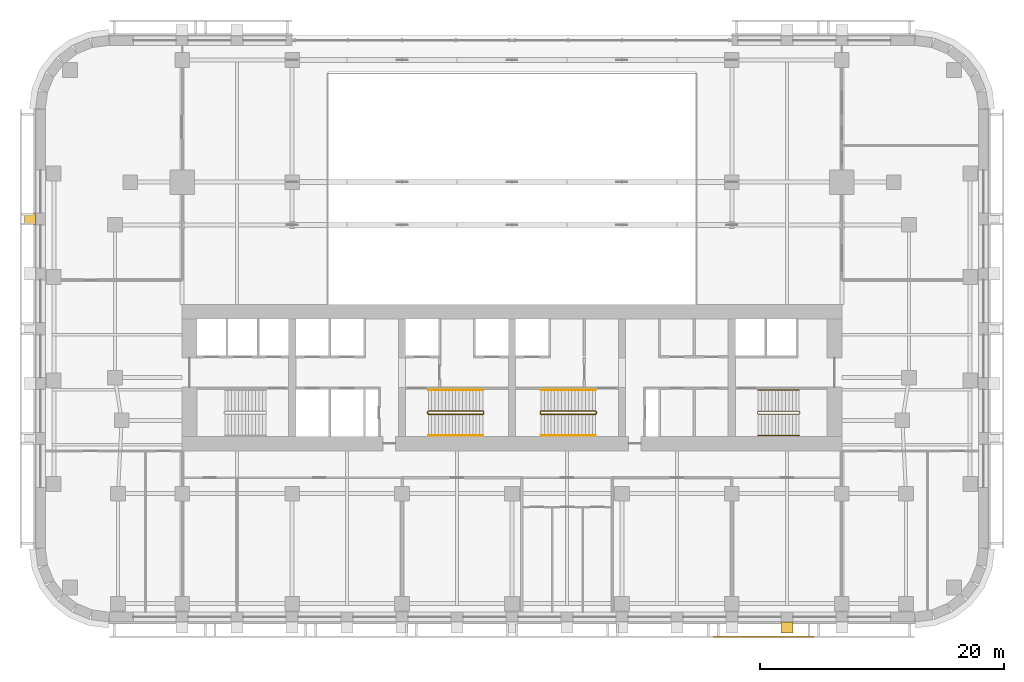
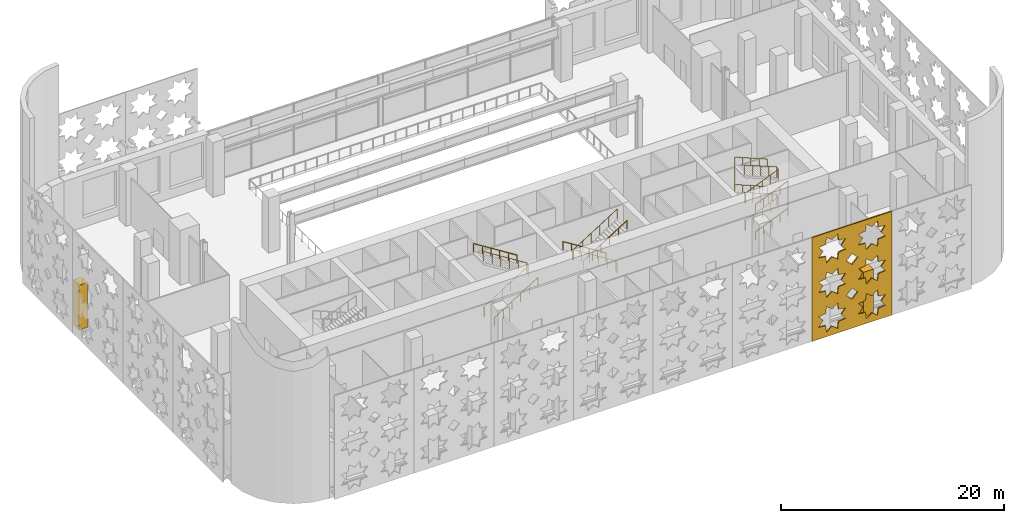
# One storey, part 14 of 17: 9 railings, 3 coverings.
"""IFC4 building model written with IfcOpenShell, lengths in metres."""

from ifc_helpers import new_model, si_unit, direction, frame, origin, origin_2d, place, context, subcontext, project, spatial, polyline, circle, outline, extrude, material, layer, layer_set, type_object, element, save


model = new_model("IFC4")

# Units and contexts
model_context = context("Model", 3, precision=1e-05, world=origin(), true_north=direction((0.0, 1.0)))
body_context = subcontext(model_context, "Body", "Model", "MODEL_VIEW")
ifc_project = project(units=[si_unit("LENGTHUNIT", "METRE"), si_unit("AREAUNIT", "SQUARE_METRE"), si_unit("VOLUMEUNIT", "CUBIC_METRE"), si_unit("PLANEANGLEUNIT", "RADIAN"), si_unit("MASSUNIT", "GRAM", prefix="KILO")], contexts=[model_context])

# Site, building, storey
site_placement = place(None, origin())
site = spatial("IfcSite", under=ifc_project, at=site_placement, CompositionType="ELEMENT")
building_placement = place(site_placement, origin())
building = spatial("IfcBuilding", under=site, at=building_placement, Name="Zellij Exchange Tower", CompositionType="ELEMENT")
storey_placement = place(building_placement, frame((0.0, 0.0, 21.0)))
storey = spatial("IfcBuildingStorey", under=building, at=storey_placement, Name="L03", CompositionType="ELEMENT", Elevation=21.0)

# Railings
ifc_material_1 = material(Name="Stainless steel", Category="steel")
railing_type_1 = type_object("IfcRailingType", Name="CORE-RG stair guard", PredefinedType="GUARDRAIL", material=ifc_material_1)
railing_1_placement = place(storey_placement, frame((-6.89990234375, -10.949951171875, 0.0)))
element("IfcRailing", 1, at=railing_1_placement, inside=storey, type_object=railing_type_1, Name="ST2 stair guard L03", PredefinedType="GUARDRAIL", context=body_context, shape_type="SweptSolid", body=[
    extrude(circle(Radius=0.02392578125, at=origin_2d()), frame((0.0, 0.0, 1.076171875), z_axis=(0.0, 1.0, 0.0), x_axis=(-1.0, 0.0, 0.0)), (0.0, 0.0, 1.0), 0.14990234375),
    extrude(circle(Radius=0.02392578125, at=origin_2d()), frame((0.0, 0.14990234375, 1.076171875), z_axis=(0.183560001127, -0.736939416289, 0.650558239288), x_axis=(0.970351222016, 0.241699205484, 0.0)), (0.0, 0.0, 1.0), 0.271240234375),
    extrude(circle(Radius=0.02392578125, at=origin_2d()), frame((0.0498046875, -0.050048828125, 1.25244140625), z_axis=(0.845997938375, 0.0, 0.533186166611), x_axis=(0.0, 1.0, 0.0)), (0.0, 0.0, 1.0), 5.29541015625),
    extrude(circle(Radius=0.02392578125, at=origin_2d()), frame((4.52978515625, -0.050048828125, 4.076171875), z_axis=(0.707106781187, 0.707106781187, 0.0), x_axis=(-0.707106781187, 0.707106781187, 0.0)), (0.0, 0.0, 1.0), 0.07080078125),
    extrude(circle(Radius=0.02392578125, at=origin_2d()), frame((4.579833984375, 0.0, 4.076171875), z_axis=(0.0, 1.0, 0.0), x_axis=(-1.0, 0.0, 0.0)), (0.0, 0.0, 1.0), 0.14990234375),
    extrude(circle(Radius=0.02392578125, at=origin_2d()), frame((4.579833984375, 0.14990234375, 4.076171875), z_axis=(-0.263171338983, 0.263171338983, 0.928160380902), x_axis=(-0.707106781187, -0.707106781187, 0.0)), (0.0, 0.0, 1.0), 0.190185546875),
    extrude(circle(Radius=0.02392578125, at=origin_2d()), frame((4.52978515625, 0.199951171875, 4.25244140625), z_axis=(-0.845997938375, 0.0, 0.533186166611), x_axis=(0.0, -1.0, 0.0)), (0.0, 0.0, 1.0), 5.29541015625),
    extrude(circle(Radius=0.02099609375, at=origin_2d()), origin(), (0.0, 0.0, 1.0), 1.052001953125),
    extrude(circle(Radius=0.02099609375, at=origin_2d()), frame((0.0, 0.14990234375, 0.0)), (0.0, 0.0, 1.0), 1.052001953125),
    extrude(circle(Radius=0.02099609375, at=origin_2d()), frame((0.0498046875, -0.050048828125, 0.176513671875)), (0.0, 0.0, 1.0), 1.052001953125),
    extrude(circle(Radius=0.02099609375, at=origin_2d()), frame((0.94580078125, -0.050048828125, 0.7412109375)), (0.0, 0.0, 1.0), 1.052001953125),
    extrude(circle(Radius=0.02099609375, at=origin_2d()), frame((1.841796875, -0.050048828125, 1.305908203125)), (0.0, 0.0, 1.0), 1.052001953125),
    extrude(circle(Radius=0.02099609375, at=origin_2d()), frame((2.73779296875, -0.050048828125, 1.87060546875)), (0.0, 0.0, 1.0), 1.052001953125),
    extrude(circle(Radius=0.02099609375, at=origin_2d()), frame((3.6337890625, -0.050048828125, 2.435302734375)), (0.0, 0.0, 1.0), 1.052001953125),
    extrude(circle(Radius=0.02099609375, at=origin_2d()), frame((4.52978515625, -0.050048828125, 3.0)), (0.0, 0.0, 1.0), 1.052001953125),
    extrude(circle(Radius=0.02099609375, at=origin_2d()), frame((4.579833984375, 0.0, 3.0)), (0.0, 0.0, 1.0), 1.052001953125),
    extrude(circle(Radius=0.02099609375, at=origin_2d()), frame((4.579833984375, 0.14990234375, 3.0)), (0.0, 0.0, 1.0), 1.052001953125),
    extrude(circle(Radius=0.02099609375, at=origin_2d()), frame((4.52978515625, 0.199951171875, 3.176513671875)), (0.0, 0.0, 1.0), 1.052001953125),
    extrude(circle(Radius=0.02099609375, at=origin_2d()), frame((3.6337890625, 0.199951171875, 3.7412109375)), (0.0, 0.0, 1.0), 1.052001953125),
    extrude(circle(Radius=0.02099609375, at=origin_2d()), frame((2.73779296875, 0.199951171875, 4.305908203125)), (0.0, 0.0, 1.0), 1.052001953125),
    extrude(circle(Radius=0.02099609375, at=origin_2d()), frame((1.841796875, 0.199951171875, 4.87060546875)), (0.0, 0.0, 1.0), 1.052001953125),
    extrude(circle(Radius=0.02099609375, at=origin_2d()), frame((0.94580078125, 0.199951171875, 5.435302734375)), (0.0, 0.0, 1.0), 1.052001953125),
    extrude(circle(Radius=0.02099609375, at=origin_2d()), frame((0.0498046875, 0.199951171875, 6.0)), (0.0, 0.0, 1.0), 1.052001953125),
])
railing_2_placement = place(storey_placement, frame((6.89990234375, -10.800048828125, 0.0)))
element("IfcRailing", 2, at=railing_2_placement, inside=storey, type_object=railing_type_1, Name="ST3 stair guard L03", PredefinedType="GUARDRAIL", context=body_context, shape_type="SweptSolid", body=[
    extrude(circle(Radius=0.02392578125, at=origin_2d()), frame((0.0, 0.0, 1.076171875), z_axis=(0.0, -1.0, 0.0), x_axis=(1.0, 0.0, 0.0)), (0.0, 0.0, 1.0), 0.14990234375),
    extrude(circle(Radius=0.02392578125, at=origin_2d()), frame((0.0, -0.14990234375, 1.076171875), z_axis=(-0.183560001127, 0.736939416289, 0.650558239288), x_axis=(-0.970351222016, -0.241699205484, 0.0)), (0.0, 0.0, 1.0), 0.271240234375),
    extrude(circle(Radius=0.02392578125, at=origin_2d()), frame((-0.0498046875, 0.050048828125, 1.25244140625), z_axis=(-0.845997938375, 0.0, 0.533186166611), x_axis=(0.0, -1.0, 0.0)), (0.0, 0.0, 1.0), 5.29541015625),
    extrude(circle(Radius=0.02392578125, at=origin_2d()), frame((-4.52978515625, 0.050048828125, 4.076171875), z_axis=(-0.707106781187, -0.707106781187, 0.0), x_axis=(0.707106781187, -0.707106781187, 0.0)), (0.0, 0.0, 1.0), 0.07080078125),
    extrude(circle(Radius=0.02392578125, at=origin_2d()), frame((-4.579833984375, 0.0, 4.076171875), z_axis=(0.0, -1.0, 0.0), x_axis=(1.0, 0.0, 0.0)), (0.0, 0.0, 1.0), 0.14990234375),
    extrude(circle(Radius=0.02392578125, at=origin_2d()), frame((-4.579833984375, -0.14990234375, 4.076171875), z_axis=(0.263171338983, -0.263171338983, 0.928160380902), x_axis=(0.707106781187, 0.707106781187, 0.0)), (0.0, 0.0, 1.0), 0.190185546875),
    extrude(circle(Radius=0.02392578125, at=origin_2d()), frame((-4.52978515625, -0.199951171875, 4.25244140625), z_axis=(0.845997938375, 0.0, 0.533186166611), x_axis=(0.0, 1.0, 0.0)), (0.0, 0.0, 1.0), 5.29541015625),
    extrude(circle(Radius=0.02099609375, at=origin_2d()), origin(), (0.0, 0.0, 1.0), 1.052001953125),
    extrude(circle(Radius=0.02099609375, at=origin_2d()), frame((0.0, -0.14990234375, 0.0)), (0.0, 0.0, 1.0), 1.052001953125),
    extrude(circle(Radius=0.02099609375, at=origin_2d()), frame((-0.0498046875, 0.050048828125, 0.176513671875)), (0.0, 0.0, 1.0), 1.052001953125),
    extrude(circle(Radius=0.02099609375, at=origin_2d()), frame((-0.94580078125, 0.050048828125, 0.7412109375)), (0.0, 0.0, 1.0), 1.052001953125),
    extrude(circle(Radius=0.02099609375, at=origin_2d()), frame((-1.841796875, 0.050048828125, 1.305908203125)), (0.0, 0.0, 1.0), 1.052001953125),
    extrude(circle(Radius=0.02099609375, at=origin_2d()), frame((-2.73779296875, 0.050048828125, 1.87060546875)), (0.0, 0.0, 1.0), 1.052001953125),
    extrude(circle(Radius=0.02099609375, at=origin_2d()), frame((-3.6337890625, 0.050048828125, 2.435302734375)), (0.0, 0.0, 1.0), 1.052001953125),
    extrude(circle(Radius=0.02099609375, at=origin_2d()), frame((-4.52978515625, 0.050048828125, 3.0)), (0.0, 0.0, 1.0), 1.052001953125),
    extrude(circle(Radius=0.02099609375, at=origin_2d()), frame((-4.579833984375, 0.0, 3.0)), (0.0, 0.0, 1.0), 1.052001953125),
    extrude(circle(Radius=0.02099609375, at=origin_2d()), frame((-4.579833984375, -0.14990234375, 3.0)), (0.0, 0.0, 1.0), 1.052001953125),
    extrude(circle(Radius=0.02099609375, at=origin_2d()), frame((-4.52978515625, -0.199951171875, 3.176513671875)), (0.0, 0.0, 1.0), 1.052001953125),
    extrude(circle(Radius=0.02099609375, at=origin_2d()), frame((-3.6337890625, -0.199951171875, 3.7412109375)), (0.0, 0.0, 1.0), 1.052001953125),
    extrude(circle(Radius=0.02099609375, at=origin_2d()), frame((-2.73779296875, -0.199951171875, 4.305908203125)), (0.0, 0.0, 1.0), 1.052001953125),
    extrude(circle(Radius=0.02099609375, at=origin_2d()), frame((-1.841796875, -0.199951171875, 4.87060546875)), (0.0, 0.0, 1.0), 1.052001953125),
    extrude(circle(Radius=0.02099609375, at=origin_2d()), frame((-0.94580078125, -0.199951171875, 5.435302734375)), (0.0, 0.0, 1.0), 1.052001953125),
    extrude(circle(Radius=0.02099609375, at=origin_2d()), frame((-0.0498046875, -0.199951171875, 6.0)), (0.0, 0.0, 1.0), 1.052001953125),
])
railing_3_placement = place(storey_placement, frame((20.10009765625, -10.949951171875, 0.0)))
element("IfcRailing", 3, at=railing_3_placement, inside=storey, type_object=railing_type_1, Name="ST4 stair guard L03", PredefinedType="GUARDRAIL", context=body_context, shape_type="SweptSolid", body=[
    extrude(circle(Radius=0.02392578125, at=origin_2d()), frame((0.0, 0.0, 1.076171875), z_axis=(0.0, 1.0, 0.0), x_axis=(-1.0, 0.0, 0.0)), (0.0, 0.0, 1.0), 0.14990234375),
    extrude(circle(Radius=0.02392578125, at=origin_2d()), frame((0.0, 0.14990234375, 1.076171875), z_axis=(0.210847110147, -0.846489133385, 0.488875897547), x_axis=(0.970351222016, 0.241699205484, 0.0)), (0.0, 0.0, 1.0), 0.236328125),
    extrude(circle(Radius=0.02392578125, at=origin_2d()), frame((0.0498046875, -0.050048828125, 1.19140625), z_axis=(0.924586246868, 0.0, 0.380972797064), x_axis=(0.0, 1.0, 0.0)), (0.0, 0.0, 1.0), 3.63427734375),
    extrude(circle(Radius=0.02392578125, at=origin_2d()), frame((3.409912109375, -0.050048828125, 2.576171875), z_axis=(0.707106781187, 0.707106781187, 0.0), x_axis=(-0.707106781187, 0.707106781187, 0.0)), (0.0, 0.0, 1.0), 0.07080078125),
    extrude(circle(Radius=0.02392578125, at=origin_2d()), frame((3.4599609375, 0.0, 2.576171875), z_axis=(0.0, 1.0, 0.0), x_axis=(-1.0, 0.0, 0.0)), (0.0, 0.0, 1.0), 0.14990234375),
    extrude(circle(Radius=0.02392578125, at=origin_2d()), frame((3.4599609375, 0.14990234375, 2.576171875), z_axis=(-0.3695169537, 0.3695169537, 0.852592776099), x_axis=(-0.707106781187, -0.707106781187, 0.0)), (0.0, 0.0, 1.0), 0.135498046875),
    extrude(circle(Radius=0.02392578125, at=origin_2d()), frame((3.409912109375, 0.199951171875, 2.69140625), z_axis=(-0.924586246868, 0.0, 0.380972797064), x_axis=(0.0, -1.0, 0.0)), (0.0, 0.0, 1.0), 3.63427734375),
    extrude(circle(Radius=0.02392578125, at=origin_2d()), frame((0.0498046875, 0.199951171875, 4.076171875), z_axis=(-0.241699205484, -0.970351222016, 0.0), x_axis=(0.970351222016, -0.241699205484, 0.0)), (0.0, 0.0, 1.0), 0.2060546875),
    extrude(circle(Radius=0.02392578125, at=origin_2d()), frame((0.0, 0.0, 4.076171875), z_axis=(0.0, 1.0, 0.0), x_axis=(-1.0, 0.0, 0.0)), (0.0, 0.0, 1.0), 0.14990234375),
    extrude(circle(Radius=0.02392578125, at=origin_2d()), frame((0.0, 0.14990234375, 4.076171875), z_axis=(0.210847110147, -0.846489133385, 0.488875897547), x_axis=(0.970351222016, 0.241699205484, 0.0)), (0.0, 0.0, 1.0), 0.236328125),
    extrude(circle(Radius=0.02392578125, at=origin_2d()), frame((0.0498046875, -0.050048828125, 4.19140625), z_axis=(0.924586246868, 0.0, 0.380972797064), x_axis=(0.0, 1.0, 0.0)), (0.0, 0.0, 1.0), 3.63427734375),
    extrude(circle(Radius=0.02392578125, at=origin_2d()), frame((3.409912109375, -0.050048828125, 5.576171875), z_axis=(0.707106781187, 0.707106781187, 0.0), x_axis=(-0.707106781187, 0.707106781187, 0.0)), (0.0, 0.0, 1.0), 0.07080078125),
    extrude(circle(Radius=0.02392578125, at=origin_2d()), frame((3.4599609375, 0.0, 5.576171875), z_axis=(0.0, 1.0, 0.0), x_axis=(-1.0, 0.0, 0.0)), (0.0, 0.0, 1.0), 0.14990234375),
    extrude(circle(Radius=0.02392578125, at=origin_2d()), frame((3.4599609375, 0.14990234375, 5.576171875), z_axis=(-0.3695169537, 0.3695169537, 0.852592776099), x_axis=(-0.707106781187, -0.707106781187, 0.0)), (0.0, 0.0, 1.0), 0.135498046875),
    extrude(circle(Radius=0.02392578125, at=origin_2d()), frame((3.409912109375, 0.199951171875, 5.69140625), z_axis=(-0.924586246868, 0.0, 0.380972797064), x_axis=(0.0, -1.0, 0.0)), (0.0, 0.0, 1.0), 3.63427734375),
    extrude(circle(Radius=0.02099609375, at=origin_2d()), origin(), (0.0, 0.0, 1.0), 1.052001953125),
    extrude(circle(Radius=0.02099609375, at=origin_2d()), frame((0.0, 0.14990234375, 0.0)), (0.0, 0.0, 1.0), 1.052001953125),
    extrude(circle(Radius=0.02099609375, at=origin_2d()), frame((0.0498046875, -0.050048828125, 0.115478515625)), (0.0, 0.0, 1.0), 1.052001953125),
    extrude(circle(Radius=0.02099609375, at=origin_2d()), frame((0.889892578125, -0.050048828125, 0.461669921875)), (0.0, 0.0, 1.0), 1.052001953125),
    extrude(circle(Radius=0.02099609375, at=origin_2d()), frame((1.72998046875, -0.050048828125, 0.8076171875)), (0.0, 0.0, 1.0), 1.052001953125),
    extrude(circle(Radius=0.02099609375, at=origin_2d()), frame((2.56982421875, -0.050048828125, 1.15380859375)), (0.0, 0.0, 1.0), 1.052001953125),
    extrude(circle(Radius=0.02099609375, at=origin_2d()), frame((3.409912109375, -0.050048828125, 1.5)), (0.0, 0.0, 1.0), 1.052001953125),
    extrude(circle(Radius=0.02099609375, at=origin_2d()), frame((3.4599609375, 0.0, 1.5)), (0.0, 0.0, 1.0), 1.052001953125),
    extrude(circle(Radius=0.02099609375, at=origin_2d()), frame((3.4599609375, 0.14990234375, 1.5)), (0.0, 0.0, 1.0), 1.052001953125),
    extrude(circle(Radius=0.02099609375, at=origin_2d()), frame((3.409912109375, 0.199951171875, 1.615478515625)), (0.0, 0.0, 1.0), 1.052001953125),
    extrude(circle(Radius=0.02099609375, at=origin_2d()), frame((2.56982421875, 0.199951171875, 1.961669921875)), (0.0, 0.0, 1.0), 1.052001953125),
    extrude(circle(Radius=0.02099609375, at=origin_2d()), frame((1.72998046875, 0.199951171875, 2.3076171875)), (0.0, 0.0, 1.0), 1.052001953125),
    extrude(circle(Radius=0.02099609375, at=origin_2d()), frame((0.889892578125, 0.199951171875, 2.65380859375)), (0.0, 0.0, 1.0), 1.052001953125),
    extrude(circle(Radius=0.02099609375, at=origin_2d()), frame((0.0498046875, 0.199951171875, 3.0)), (0.0, 0.0, 1.0), 1.052001953125),
    extrude(circle(Radius=0.02099609375, at=origin_2d()), frame((0.0, 0.0, 3.0)), (0.0, 0.0, 1.0), 1.052001953125),
    extrude(circle(Radius=0.02099609375, at=origin_2d()), frame((0.0, 0.14990234375, 3.0)), (0.0, 0.0, 1.0), 1.052001953125),
    extrude(circle(Radius=0.02099609375, at=origin_2d()), frame((0.0498046875, -0.050048828125, 3.115478515625)), (0.0, 0.0, 1.0), 1.052001953125),
    extrude(circle(Radius=0.02099609375, at=origin_2d()), frame((0.889892578125, -0.050048828125, 3.461669921875)), (0.0, 0.0, 1.0), 1.052001953125),
    extrude(circle(Radius=0.02099609375, at=origin_2d()), frame((1.72998046875, -0.050048828125, 3.8076171875)), (0.0, 0.0, 1.0), 1.052001953125),
    extrude(circle(Radius=0.02099609375, at=origin_2d()), frame((2.56982421875, -0.050048828125, 4.15380859375)), (0.0, 0.0, 1.0), 1.052001953125),
    extrude(circle(Radius=0.02099609375, at=origin_2d()), frame((3.409912109375, -0.050048828125, 4.5)), (0.0, 0.0, 1.0), 1.052001953125),
    extrude(circle(Radius=0.02099609375, at=origin_2d()), frame((3.4599609375, 0.0, 4.5)), (0.0, 0.0, 1.0), 1.052001953125),
    extrude(circle(Radius=0.02099609375, at=origin_2d()), frame((3.4599609375, 0.14990234375, 4.5)), (0.0, 0.0, 1.0), 1.052001953125),
    extrude(circle(Radius=0.02099609375, at=origin_2d()), frame((3.409912109375, 0.199951171875, 4.615478515625)), (0.0, 0.0, 1.0), 1.052001953125),
    extrude(circle(Radius=0.02099609375, at=origin_2d()), frame((2.56982421875, 0.199951171875, 4.961669921875)), (0.0, 0.0, 1.0), 1.052001953125),
    extrude(circle(Radius=0.02099609375, at=origin_2d()), frame((1.72998046875, 0.199951171875, 5.3076171875)), (0.0, 0.0, 1.0), 1.052001953125),
    extrude(circle(Radius=0.02099609375, at=origin_2d()), frame((0.889892578125, 0.199951171875, 5.65380859375)), (0.0, 0.0, 1.0), 1.052001953125),
    extrude(circle(Radius=0.02099609375, at=origin_2d()), frame((0.0498046875, 0.199951171875, 6.0)), (0.0, 0.0, 1.0), 1.052001953125),
])
railing_type_2 = type_object("IfcRailingType", Name="CORE-RH stair handrail", PredefinedType="HANDRAIL", material=ifc_material_1)
railing_4_placement = place(storey_placement, frame((-6.85009765625, -12.75, 0.176513671875)))
element("IfcRailing", 4, at=railing_4_placement, inside=storey, type_object=railing_type_2, Name="ST2 stair handrail L03", PredefinedType="HANDRAIL", context=body_context, shape_type="SweptSolid", body=[
    extrude(circle(Radius=0.02392578125, at=origin_2d()), frame((0.0, 0.0, 0.8759765625), z_axis=(0.845997938375, 0.0, 0.533186166611), x_axis=(0.0, 1.0, 0.0)), (0.0, 0.0, 1.0), 5.29541015625),
    extrude(circle(Radius=0.02099609375, at=origin_2d()), origin(), (0.0, 0.0, 1.0), 0.851806640625),
    extrude(circle(Radius=0.02099609375, at=origin_2d()), frame((0.89599609375, 0.0, 0.564697265625)), (0.0, 0.0, 1.0), 0.851806640625),
    extrude(circle(Radius=0.02099609375, at=origin_2d()), frame((1.7919921875, 0.0, 1.12939453125)), (0.0, 0.0, 1.0), 0.851806640625),
    extrude(circle(Radius=0.02099609375, at=origin_2d()), frame((2.68798828125, 0.0, 1.694091796875)), (0.0, 0.0, 1.0), 0.851806640625),
    extrude(circle(Radius=0.02099609375, at=origin_2d()), frame((3.583984375, 0.0, 2.2587890625)), (0.0, 0.0, 1.0), 0.851806640625),
    extrude(circle(Radius=0.02099609375, at=origin_2d()), frame((4.47998046875, 0.0, 2.823486328125)), (0.0, 0.0, 1.0), 0.851806640625),
])
for number, where, name in (
    (5, (-2.3701171875, -9.0, 3.176513671875), "ST2 stair handrail L03"),
    (6, (6.85009765625, -9.0, 0.176513671875), "ST3 stair handrail L03"),
):
    element("IfcRailing", number, at=place(storey_placement, frame(where)), inside=storey, type_object=railing_type_2, Name=name, PredefinedType="HANDRAIL", context=body_context, shape_type="SweptSolid", body=[
        extrude(circle(Radius=0.02392578125, at=origin_2d()), frame((0.0, 0.0, 0.8759765625), z_axis=(-0.845997938375, 0.0, 0.533186166611), x_axis=(0.0, -1.0, 0.0)), (0.0, 0.0, 1.0), 5.29541015625),
        extrude(circle(Radius=0.02099609375, at=origin_2d()), origin(), (0.0, 0.0, 1.0), 0.851806640625),
        extrude(circle(Radius=0.02099609375, at=origin_2d()), frame((-0.89599609375, 0.0, 0.564697265625)), (0.0, 0.0, 1.0), 0.851806640625),
        extrude(circle(Radius=0.02099609375, at=origin_2d()), frame((-1.7919921875, 0.0, 1.12939453125)), (0.0, 0.0, 1.0), 0.851806640625),
        extrude(circle(Radius=0.02099609375, at=origin_2d()), frame((-2.68798828125, 0.0, 1.694091796875)), (0.0, 0.0, 1.0), 0.851806640625),
        extrude(circle(Radius=0.02099609375, at=origin_2d()), frame((-3.583984375, 0.0, 2.2587890625)), (0.0, 0.0, 1.0), 0.851806640625),
        extrude(circle(Radius=0.02099609375, at=origin_2d()), frame((-4.47998046875, 0.0, 2.823486328125)), (0.0, 0.0, 1.0), 0.851806640625),
    ])
railing_5_placement = place(storey_placement, frame((2.3701171875, -12.75, 3.176513671875)))
element("IfcRailing", 7, at=railing_5_placement, inside=storey, type_object=railing_type_2, Name="ST3 stair handrail L03", PredefinedType="HANDRAIL", context=body_context, shape_type="SweptSolid", body=[
    extrude(circle(Radius=0.02392578125, at=origin_2d()), frame((0.0, 0.0, 0.8759765625), z_axis=(0.845997938375, 0.0, 0.533186166611), x_axis=(0.0, 1.0, 0.0)), (0.0, 0.0, 1.0), 5.29541015625),
    extrude(circle(Radius=0.02099609375, at=origin_2d()), origin(), (0.0, 0.0, 1.0), 0.851806640625),
    extrude(circle(Radius=0.02099609375, at=origin_2d()), frame((0.89599609375, 0.0, 0.564697265625)), (0.0, 0.0, 1.0), 0.851806640625),
    extrude(circle(Radius=0.02099609375, at=origin_2d()), frame((1.7919921875, 0.0, 1.12939453125)), (0.0, 0.0, 1.0), 0.851806640625),
    extrude(circle(Radius=0.02099609375, at=origin_2d()), frame((2.68798828125, 0.0, 1.694091796875)), (0.0, 0.0, 1.0), 0.851806640625),
    extrude(circle(Radius=0.02099609375, at=origin_2d()), frame((3.583984375, 0.0, 2.2587890625)), (0.0, 0.0, 1.0), 0.851806640625),
    extrude(circle(Radius=0.02099609375, at=origin_2d()), frame((4.47998046875, 0.0, 2.823486328125)), (0.0, 0.0, 1.0), 0.851806640625),
])
railing_6_placement = place(storey_placement, frame((20.14990234375, -12.75, 0.115478515625)))
element("IfcRailing", 8, at=railing_6_placement, inside=storey, type_object=railing_type_2, Name="ST4 stair handrail L03", PredefinedType="HANDRAIL", context=body_context, shape_type="SweptSolid", body=[
    extrude(circle(Radius=0.02392578125, at=origin_2d()), frame((0.0, 0.0, 0.8759765625), z_axis=(0.924586246868, 0.0, 0.380972797064), x_axis=(0.0, 1.0, 0.0)), (0.0, 0.0, 1.0), 3.63427734375),
    extrude(circle(Radius=0.02392578125, at=origin_2d()), frame((3.360107421875, 0.0, 2.26025390625), z_axis=(0.0, 0.0, 1.0), x_axis=(1.0, 0.0, 0.0)), (0.0, 0.0, 1.0), 3.0),
    extrude(circle(Radius=0.02392578125, at=origin_2d()), frame((3.360107421875, 0.0, 5.26025390625), z_axis=(-0.924586246868, 0.0, -0.380972797064), x_axis=(0.0, -1.0, 0.0)), (0.0, 0.0, 1.0), 3.63427734375),
    extrude(circle(Radius=0.02099609375, at=origin_2d()), origin(), (0.0, 0.0, 1.0), 0.851806640625),
    extrude(circle(Radius=0.02099609375, at=origin_2d()), frame((0.840087890625, 0.0, 0.34619140625)), (0.0, 0.0, 1.0), 0.851806640625),
    extrude(circle(Radius=0.02099609375, at=origin_2d()), frame((1.68017578125, 0.0, 0.6923828125)), (0.0, 0.0, 1.0), 0.851806640625),
    extrude(circle(Radius=0.02099609375, at=origin_2d()), frame((2.52001953125, 0.0, 1.038330078125)), (0.0, 0.0, 1.0), 0.851806640625),
    extrude(circle(Radius=0.02099609375, at=origin_2d()), frame((3.360107421875, 0.0, 1.384521484375)), (0.0, 0.0, 1.0), 0.851806640625),
    extrude(circle(Radius=0.02099609375, at=origin_2d()), frame((3.360107421875, 0.0, 2.384521484375)), (0.0, 0.0, 1.0), 0.851806640625),
    extrude(circle(Radius=0.02099609375, at=origin_2d()), frame((3.360107421875, 0.0, 3.384521484375)), (0.0, 0.0, 1.0), 0.851806640625),
    extrude(circle(Radius=0.02099609375, at=origin_2d()), frame((3.360107421875, 0.0, 4.384521484375)), (0.0, 0.0, 1.0), 0.851806640625),
    extrude(circle(Radius=0.02099609375, at=origin_2d()), frame((2.52001953125, 0.0, 4.038330078125)), (0.0, 0.0, 1.0), 0.851806640625),
    extrude(circle(Radius=0.02099609375, at=origin_2d()), frame((1.68017578125, 0.0, 3.6923828125)), (0.0, 0.0, 1.0), 0.851806640625),
    extrude(circle(Radius=0.02099609375, at=origin_2d()), frame((0.840087890625, 0.0, 3.34619140625)), (0.0, 0.0, 1.0), 0.851806640625),
    extrude(circle(Radius=0.02099609375, at=origin_2d()), frame((0.0, 0.0, 3.0)), (0.0, 0.0, 1.0), 0.851806640625),
])
railing_7_placement = place(storey_placement, frame((23.510009765625, -9.0, 1.615478515625)))
element("IfcRailing", 9, at=railing_7_placement, inside=storey, type_object=railing_type_2, Name="ST4 stair handrail L03", PredefinedType="HANDRAIL", context=body_context, shape_type="SweptSolid", body=[
    extrude(circle(Radius=0.02392578125, at=origin_2d()), frame((0.0, 0.0, 0.8759765625), z_axis=(-0.924586246868, 0.0, 0.380972797064), x_axis=(0.0, -1.0, 0.0)), (0.0, 0.0, 1.0), 3.63427734375),
    extrude(circle(Radius=0.02392578125, at=origin_2d()), frame((-3.360107421875, 0.0, 2.26025390625), z_axis=(0.0, 0.0, 1.0), x_axis=(1.0, 0.0, 0.0)), (0.0, 0.0, 1.0), 3.0),
    extrude(circle(Radius=0.02392578125, at=origin_2d()), frame((-3.360107421875, 0.0, 5.26025390625), z_axis=(0.924586246868, 0.0, -0.380972797064), x_axis=(0.0, 1.0, 0.0)), (0.0, 0.0, 1.0), 3.63427734375),
    extrude(circle(Radius=0.02099609375, at=origin_2d()), origin(), (0.0, 0.0, 1.0), 0.851806640625),
    extrude(circle(Radius=0.02099609375, at=origin_2d()), frame((-0.840087890625, 0.0, 0.34619140625)), (0.0, 0.0, 1.0), 0.851806640625),
    extrude(circle(Radius=0.02099609375, at=origin_2d()), frame((-1.68017578125, 0.0, 0.6923828125)), (0.0, 0.0, 1.0), 0.851806640625),
    extrude(circle(Radius=0.02099609375, at=origin_2d()), frame((-2.52001953125, 0.0, 1.038330078125)), (0.0, 0.0, 1.0), 0.851806640625),
    extrude(circle(Radius=0.02099609375, at=origin_2d()), frame((-3.360107421875, 0.0, 1.384521484375)), (0.0, 0.0, 1.0), 0.851806640625),
    extrude(circle(Radius=0.02099609375, at=origin_2d()), frame((-3.360107421875, 0.0, 2.384521484375)), (0.0, 0.0, 1.0), 0.851806640625),
    extrude(circle(Radius=0.02099609375, at=origin_2d()), frame((-3.360107421875, 0.0, 3.384521484375)), (0.0, 0.0, 1.0), 0.851806640625),
    extrude(circle(Radius=0.02099609375, at=origin_2d()), frame((-3.360107421875, 0.0, 4.384521484375)), (0.0, 0.0, 1.0), 0.851806640625),
    extrude(circle(Radius=0.02099609375, at=origin_2d()), frame((-2.52001953125, 0.0, 4.038330078125)), (0.0, 0.0, 1.0), 0.851806640625),
    extrude(circle(Radius=0.02099609375, at=origin_2d()), frame((-1.68017578125, 0.0, 3.6923828125)), (0.0, 0.0, 1.0), 0.851806640625),
    extrude(circle(Radius=0.02099609375, at=origin_2d()), frame((-0.840087890625, 0.0, 3.34619140625)), (0.0, 0.0, 1.0), 0.851806640625),
    extrude(circle(Radius=0.02099609375, at=origin_2d()), frame((0.0, 0.0, 3.0)), (0.0, 0.0, 1.0), 0.851806640625),
])

# Coverings
ifc_material_2 = material(Name="Limestone cladding", Category="masonry")
covering_type_1 = type_object("IfcCoveringType", Name="ENV-CV2 Stone pier 1000x900", PredefinedType="CLADDING", material=ifc_material_2)
covering_1_placement = place(storey_placement, frame((0.0, 0.0, 0.800048828125)))
element("IfcCovering", 10, at=covering_1_placement, inside=storey, type_object=covering_type_1, Name="Stone pier", PredefinedType="CLADDING", context=body_context, shape_type="SweptSolid", body=[
    extrude(outline(polyline([(22.0, -28.0), (23.0, -28.0), (23.0, -28.89990234375), (22.0, -28.89990234375), (22.0, -28.0)])), origin(), (0.0, 0.0, 1.0), 4.89990234375),
])
covering_2_placement = place(storey_placement, frame((0.0, 0.0, 0.800048828125)))
element("IfcCovering", 11, at=covering_2_placement, inside=storey, type_object=covering_type_1, Name="Stone pier", PredefinedType="CLADDING", context=body_context, shape_type="SweptSolid", body=[
    extrude(outline(polyline([(-39.0, 5.48681640625), (-39.0, 4.48681640625), (-39.89990234375, 4.48681640625), (-39.89990234375, 5.48681640625), (-39.0, 5.48681640625)])), origin(), (0.0, 0.0, 1.0), 4.89990234375),
])
ifc_material_3 = material(Name="Limestone screen", Category="masonry")
ifc_layer = layer(ifc_material_3, 0.1201171875)
ifc_layer_set = layer_set([ifc_layer], Name="Limestone screen")
covering_type_2 = type_object("IfcCoveringType", Name="ENV-SC1 Pierced stone screen 120", PredefinedType="USERDEFINED", material=ifc_layer_set)
covering_3_placement = place(storey_placement, frame((16.473876953125, -29.2099609375, 0.300048828125), z_axis=(0.0, 0.0, 1.0), x_axis=(1.0, 0.0, 0.0)))
element("IfcCovering", 12, at=covering_3_placement, inside=storey, type_object=covering_type_2, Name="Pierced stone screen", ObjectType="SCREEN", PredefinedType="USERDEFINED", context=body_context, shape_type="SweptSolid", body=[
    extrude(outline(polyline([(0.0, 0.0), (8.23681640625, 0.0), (8.23681640625, 11.35009765625), (0.0, 11.35009765625), (0.0, 0.0)]), holes=[polyline([(3.45751953125, 2.470703125), (2.72265625, 2.55517578125), (2.638427734375, 3.289794921875), (2.05908203125, 2.829833984375), (1.47998046875, 3.289794921875), (1.395751953125, 2.55517578125), (0.6611328125, 2.470703125), (1.12109375, 1.8916015625), (0.6611328125, 1.3125), (1.395751953125, 1.228271484375), (1.47998046875, 0.493408203125), (2.05908203125, 0.953369140625), (2.638427734375, 0.493408203125), (2.72265625, 1.228271484375), (3.45751953125, 1.3125), (2.99755859375, 1.8916015625), (3.45751953125, 2.470703125)]), polyline([(3.45751953125, 6.254150390625), (2.72265625, 6.33837890625), (2.638427734375, 7.072998046875), (2.05908203125, 6.61328125), (1.47998046875, 7.072998046875), (1.395751953125, 6.33837890625), (0.6611328125, 6.254150390625), (1.12109375, 5.675048828125), (0.6611328125, 5.095947265625), (1.395751953125, 5.011474609375), (1.47998046875, 4.27685546875), (2.05908203125, 4.73681640625), (2.638427734375, 4.27685546875), (2.72265625, 5.011474609375), (3.45751953125, 5.095947265625), (2.99755859375, 5.675048828125), (3.45751953125, 6.254150390625)]), polyline([(3.45751953125, 10.03759765625), (2.72265625, 10.121826171875), (2.638427734375, 10.8564453125), (2.05908203125, 10.396484375), (1.47998046875, 10.8564453125), (1.395751953125, 10.121826171875), (0.6611328125, 10.03759765625), (1.12109375, 9.458251953125), (0.6611328125, 8.879150390625), (1.395751953125, 8.794921875), (1.47998046875, 8.060302734375), (2.05908203125, 8.52001953125), (2.638427734375, 8.060302734375), (2.72265625, 8.794921875), (3.45751953125, 8.879150390625), (2.99755859375, 9.458251953125), (3.45751953125, 10.03759765625)]), polyline([(7.57568359375, 2.470703125), (6.841064453125, 2.55517578125), (6.7568359375, 3.289794921875), (6.177734375, 2.829833984375), (5.598388671875, 3.289794921875), (5.51416015625, 2.55517578125), (4.779541015625, 2.470703125), (5.239501953125, 1.8916015625), (4.779541015625, 1.3125), (5.51416015625, 1.228271484375), (5.598388671875, 0.493408203125), (6.177734375, 0.953369140625), (6.7568359375, 0.493408203125), (6.841064453125, 1.228271484375), (7.57568359375, 1.3125), (7.115966796875, 1.8916015625), (7.57568359375, 2.470703125)]), polyline([(7.57568359375, 6.254150390625), (6.841064453125, 6.33837890625), (6.7568359375, 7.072998046875), (6.177734375, 6.61328125), (5.598388671875, 7.072998046875), (5.51416015625, 6.33837890625), (4.779541015625, 6.254150390625), (5.239501953125, 5.675048828125), (4.779541015625, 5.095947265625), (5.51416015625, 5.011474609375), (5.598388671875, 4.27685546875), (6.177734375, 4.73681640625), (6.7568359375, 4.27685546875), (6.841064453125, 5.011474609375), (7.57568359375, 5.095947265625), (7.115966796875, 5.675048828125), (7.57568359375, 6.254150390625)]), polyline([(7.57568359375, 10.03759765625), (6.841064453125, 10.121826171875), (6.7568359375, 10.8564453125), (6.177734375, 10.396484375), (5.598388671875, 10.8564453125), (5.51416015625, 10.121826171875), (4.779541015625, 10.03759765625), (5.239501953125, 9.458251953125), (4.779541015625, 8.879150390625), (5.51416015625, 8.794921875), (5.598388671875, 8.060302734375), (6.177734375, 8.52001953125), (6.7568359375, 8.060302734375), (6.841064453125, 8.794921875), (7.57568359375, 8.879150390625), (7.115966796875, 9.458251953125), (7.57568359375, 10.03759765625)]), polyline([(4.723876953125, 3.783203125), (4.118408203125, 4.388671875), (3.51318359375, 3.783203125), (4.118408203125, 3.177978515625), (4.723876953125, 3.783203125)]), polyline([(4.723876953125, 7.566650390625), (4.118408203125, 8.172119140625), (3.51318359375, 7.566650390625), (4.118408203125, 6.961181640625), (4.723876953125, 7.566650390625)])]), frame((0.0, 0.06005859375, 0.0), z_axis=(0.0, -1.0, 0.0), x_axis=(1.0, 0.0, 0.0)), (0.0, 0.0, 1.0), 0.1201171875),
])

save(model, "model.ifc")
